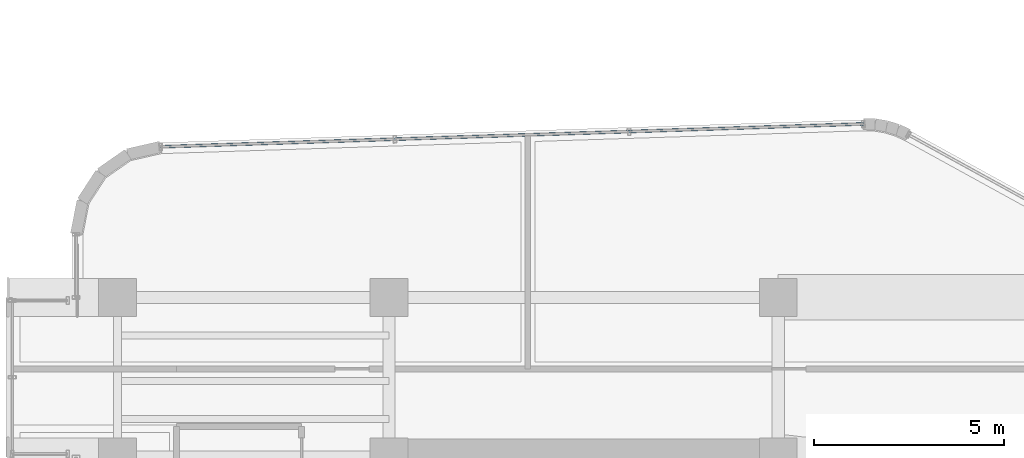
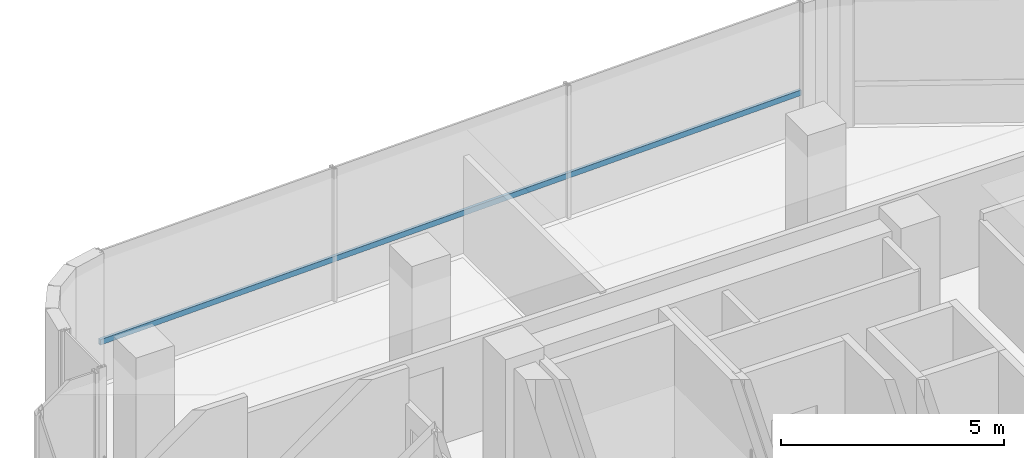
# One storey, part 20 of 37: 1 member, 1 element without a shape of its own.
"""IFC4 building model written with IfcOpenShell, lengths in metres."""

from ifc_helpers import new_model, si_unit, direction, frame, origin, origin_2d, place, context, subcontext, project, spatial, hollow_rectangle, extrude, source, transform, mapped, material, material_profile, profile_set, type_object, element, aggregate, save


model = new_model("IFC4")

# Units and contexts
model_context = context("Model", 3, precision=1e-05, world=origin(), true_north=direction((0.0, 1.0)))
body_context = subcontext(model_context, "Body", "Model", "MODEL_VIEW")
ifc_project = project(units=[si_unit("LENGTHUNIT", "METRE"), si_unit("AREAUNIT", "SQUARE_METRE"), si_unit("VOLUMEUNIT", "CUBIC_METRE"), si_unit("PLANEANGLEUNIT", "RADIAN"), si_unit("MASSUNIT", "GRAM", prefix="KILO")], contexts=[model_context])

# Site, building, storey
site_placement = place(None, origin())
site = spatial("IfcSite", under=ifc_project, at=site_placement, CompositionType="ELEMENT")
building_placement = place(site_placement, origin())
building = spatial("IfcBuilding", under=site, at=building_placement, Name="Valdorenza Pilgrim Sanctuary Tower", CompositionType="ELEMENT")
storey_placement = place(building_placement, frame((0.0, 0.0, 188.39990234375)))
storey = spatial("IfcBuildingStorey", under=building, at=storey_placement, Name="L48", CompositionType="ELEMENT", Elevation=188.39990234375)

# Curtain wall, member
ifc_material_1 = material(Name="Curtain-wall IGU glazing", Category="glass")
curtain_wall_type = type_object("IfcCurtainWallType", Name="CW-SYS-02", PredefinedType="NOTDEFINED", material=ifc_material_1)
curtain_wall_placement = place(storey_placement, origin())
curtain_wall = element("IfcCurtainWall", 1, at=curtain_wall_placement, inside=storey, type_object=curtain_wall_type, Name="L48 Curtain Wall CW-L48-1-6", PredefinedType="NOTDEFINED")
ifc_material_2 = material(Name="Anodised aluminium AW-6060", Category="aluminium")
ifc_material_profile = material_profile(ifc_material_2, hollow_rectangle(XDim=0.074951171875, YDim=0.14990234375, WallThickness=0.00390625, at=origin_2d()), Name="ALU-T 150x75x4")
ifc_profile_set = profile_set([ifc_material_profile], Name="Anodised aluminium AW-6060")
member_type = type_object("IfcMemberType", Name="CW-TRN-02", PredefinedType="USERDEFINED", material=ifc_profile_set)
shared_shape = source(origin(), body_context, "Body", "SweptSolid", [
    extrude(hollow_rectangle(XDim=0.074951171875, YDim=0.14990234375, WallThickness=0.00390625, at=origin_2d()), origin(), (0.0, 0.0, 1.0), 18.515625),
])
member_placement = place(storey_placement, frame((-28.663818359375, 18.76611328125, 1.1201171875), z_axis=(0.99947079366, 0.032528950501, 0.0), x_axis=(-0.032528950501, 0.99947079366, 0.0)))
member = element("IfcMember", 2, at=member_placement, type_object=member_type, Name="CW-L48-1-6 Transom 1", ObjectType="TRANSOM", PredefinedType="USERDEFINED", context=body_context, shape_type="MappedRepresentation", body=[
    mapped(shared_shape, transform((0.0, 0.0, 0.0), x_axis=(1.0, 0.0, 0.0), y_axis=(0.0, 1.0, 0.0), z_axis=(0.0, 0.0, 1.0), scale=1.0)),
])
aggregate(curtain_wall, [member])

save(model, "model.ifc")
